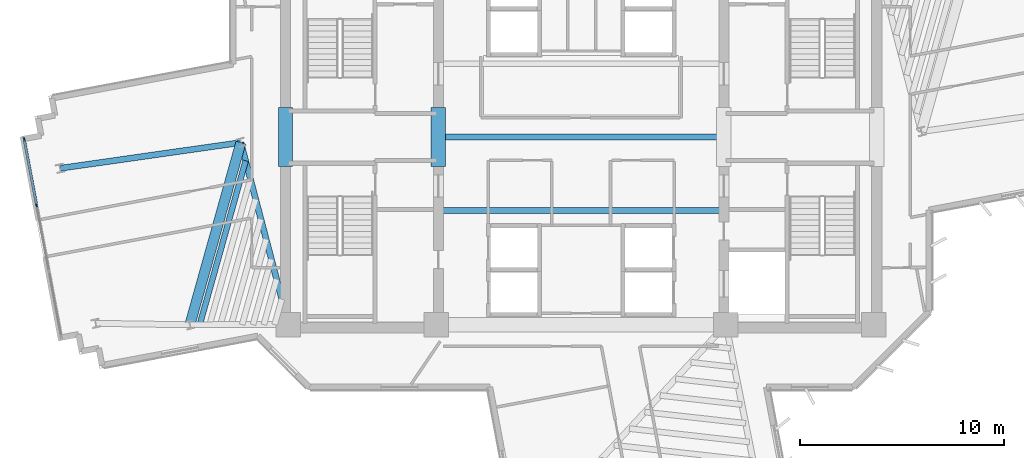
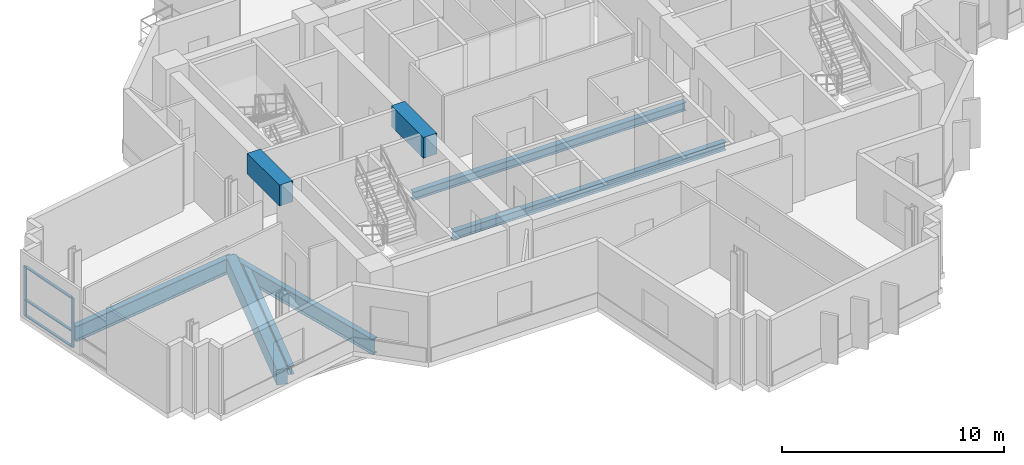
# One storey, part 4 of 16: 8 beams, 5 members, 1 element without a shape of its own.
"""IFC4 building model written with IfcOpenShell, lengths in metres."""

from ifc_helpers import new_model, si_unit, direction, frame, origin, origin_2d, place, context, subcontext, project, spatial, rectangle, i_section, extrude, source, transform, mapped, material, layer, layer_set, material_profile, profile_set, type_object, element, aggregate, save


model = new_model("IFC4")

# Units and contexts
model_context = context("Model", 3, precision=1e-05, world=origin(), true_north=direction((0.0, 1.0)))
body_context = subcontext(model_context, "Body", "Model", "MODEL_VIEW")
ifc_project = project(units=[si_unit("LENGTHUNIT", "METRE"), si_unit("AREAUNIT", "SQUARE_METRE"), si_unit("VOLUMEUNIT", "CUBIC_METRE"), si_unit("PLANEANGLEUNIT", "RADIAN"), si_unit("MASSUNIT", "GRAM", prefix="KILO")], contexts=[model_context])

# Site, building, storey
site_placement = place(None, origin())
site = spatial("IfcSite", under=ifc_project, at=site_placement, CompositionType="ELEMENT")
building_placement = place(site_placement, origin())
building = spatial("IfcBuilding", under=site, at=building_placement, Name="Zahravan Cultural Tower", CompositionType="ELEMENT")
storey_placement = place(building_placement, frame((0.0, 0.0, 155.10009765625)))
storey = spatial("IfcBuildingStorey", under=building, at=storey_placement, Name="L35", CompositionType="ELEMENT", Elevation=155.10009765625)

# Beams
ifc_material_1 = material(Name="Concrete C50/60", Category="concrete")
ifc_material_profile_1 = material_profile(ifc_material_1, rectangle(XDim=0.699951171875, YDim=1.14990234375, at=origin_2d()), Name="RC700X1150")
ifc_profile_set_1 = profile_set([ifc_material_profile_1], Name="Concrete C50/60")
beam_type_1 = type_object("IfcBeamType", Name="BM-LN-RC700X1150", PredefinedType="LINTEL", material=ifc_profile_set_1)
shared_shape_1 = source(origin(), body_context, "Body", "SweptSolid", [
    extrude(rectangle(XDim=0.699951171875, YDim=1.14990234375, at=origin_2d()), origin(), (0.0, 0.0, 1.0), 2.89990234375),
])
for number, where, z_axis, x_axis, name in (
    (1, (21.5, 25.550048828125, 3.044921875), (0.0, 1.0, 0.0), (-1.0, 0.0, 0.0), "L35 Beam LN-L35-PWW"),
    (2, (29.0, 25.550048828125, 3.044921875), (0.0, 1.0, 0.0), (-1.0, 0.0, 0.0), "L35 Beam LN-L35-PWE"),
):
    element("IfcBeam", number, at=place(storey_placement, frame(where, z_axis=z_axis, x_axis=x_axis)), inside=storey, type_object=beam_type_1, Name=name, PredefinedType="LINTEL", context=body_context, shape_type="MappedRepresentation", body=[
        mapped(shared_shape_1, transform((0.0, 0.0, 0.0), x_axis=(1.0, 0.0, 0.0), y_axis=(0.0, 1.0, 0.0), z_axis=(0.0, 0.0, 1.0), scale=1.0)),
    ])
ifc_material_profile_2 = material_profile(ifc_material_1, rectangle(XDim=0.5, YDim=0.85009765625, at=origin_2d()), Name="RC500X850")
ifc_profile_set_2 = profile_set([ifc_material_profile_2], Name="Concrete C50/60")
beam_type_2 = type_object("IfcBeamType", Name="BM-SP-RC500X850", PredefinedType="SPANDREL", material=ifc_profile_set_2)
shared_shape_2 = source(origin(), body_context, "Body", "SweptSolid", [
    extrude(rectangle(XDim=0.5, YDim=0.85009765625, at=origin_2d()), origin(), (0.0, 0.0, 1.0), 9.2783203125),
])
beam_1_placement = place(storey_placement, frame((19.315673828125, 26.72900390625, -0.705078125), z_axis=(-0.269497187032, -0.963001176625, 0.0), x_axis=(0.963001176625, -0.269497187032, 0.0)))
element("IfcBeam", 3, at=beam_1_placement, inside=storey, type_object=beam_type_2, Name="L35 Beam SP-L35-19", PredefinedType="SPANDREL", context=body_context, shape_type="MappedRepresentation", body=[
    mapped(shared_shape_2, transform((0.0, 0.0, 0.0), x_axis=(1.0, 0.0, 0.0), y_axis=(0.0, 1.0, 0.0), z_axis=(0.0, 0.0, 1.0), scale=1.0)),
])
ifc_material_2 = material(Name="Steel ASTM A992 Grade 50", Category="steel")
ifc_material_profile_3 = material_profile(ifc_material_2, i_section(OverallWidth=0.29296875, OverallDepth=0.845947265625, WebThickness=0.015380859375, FlangeThickness=0.0244140625, FilletRadius=0.02001953125, at=origin_2d()), Name="W33X141")
ifc_profile_set_3 = profile_set([ifc_material_profile_3], Name="Steel ASTM A992 Grade 50")
beam_type_3 = type_object("IfcBeamType", Name="BM-G-W33X141", PredefinedType="BEAM", material=ifc_profile_set_3)
shared_shape_3 = source(origin(), body_context, "Body", "SweptSolid", [
    extrude(i_section(OverallWidth=0.29296875, OverallDepth=0.845947265625, WebThickness=0.015380859375, FlangeThickness=0.0244140625, FilletRadius=0.02001953125, at=origin_2d()), origin(), (0.0, 0.0, 1.0), 9.22900390625),
])
beam_2_placement = place(storey_placement, frame((21.64990234375, 17.800048828125, -0.703125), z_axis=(-0.252922608408, 0.967486513682, 0.0), x_axis=(-0.967486513682, -0.252922608408, 0.0)))
element("IfcBeam", 4, at=beam_2_placement, inside=storey, type_object=beam_type_3, Name="L35 Beam BG-L35-07", PredefinedType="BEAM", context=body_context, shape_type="MappedRepresentation", body=[
    mapped(shared_shape_3, transform((0.0, 0.0, 0.0), x_axis=(1.0, 0.0, 0.0), y_axis=(0.0, 1.0, 0.0), z_axis=(0.0, 0.0, 1.0), scale=1.0)),
])
shared_shape_4 = source(origin(), body_context, "Body", "SweptSolid", [
    extrude(i_section(OverallWidth=0.29296875, OverallDepth=0.845947265625, WebThickness=0.015380859375, FlangeThickness=0.0244140625, FilletRadius=0.02001953125, at=origin_2d()), origin(), (0.0, 0.0, 1.0), 8.9580078125),
])
beam_3_placement = place(storey_placement, frame((19.315673828125, 26.72900390625, -0.703125), z_axis=(-0.990000122431, -0.141066500584, 0.0), x_axis=(0.141066500584, -0.990000122431, 0.0)))
element("IfcBeam", 5, at=beam_3_placement, inside=storey, type_object=beam_type_3, Name="L35 Beam BG-L35-17", PredefinedType="BEAM", context=body_context, shape_type="MappedRepresentation", body=[
    mapped(shared_shape_4, transform((0.0, 0.0, 0.0), x_axis=(1.0, 0.0, 0.0), y_axis=(0.0, 1.0, 0.0), z_axis=(0.0, 0.0, 1.0), scale=1.0)),
])
ifc_material_profile_4 = material_profile(ifc_material_2, i_section(OverallWidth=0.280029296875, OverallDepth=0.462890625, WebThickness=0.0107421875, FlangeThickness=0.017333984375, FilletRadius=0.012939453125, at=origin_2d()), Name="W18X76")
ifc_profile_set_4 = profile_set([ifc_material_profile_4], Name="Steel ASTM A992 Grade 50")
beam_type_4 = type_object("IfcBeamType", Name="BM-J-W18X76", PredefinedType="JOIST", material=ifc_profile_set_4)
shared_shape_5 = source(origin(), body_context, "Body", "SweptSolid", [
    extrude(i_section(OverallWidth=0.280029296875, OverallDepth=0.462890625, WebThickness=0.0107421875, FlangeThickness=0.017333984375, FilletRadius=0.012939453125, at=origin_2d()), origin(), (0.0, 0.0, 1.0), 14.2001953125),
])
for number, where, z_axis, x_axis, name in (
    (6, (28.89990234375, 23.39990234375, -0.51171875), (1.0, 0.0, 0.0), (0.0, 1.0, 0.0), "L35 Beam BJ-L35-23"),
    (7, (28.89990234375, 27.0, -0.51171875), (1.0, 0.0, 0.0), (0.0, 1.0, 0.0), "L35 Beam BJ-L35-24"),
):
    element("IfcBeam", number, at=place(storey_placement, frame(where, z_axis=z_axis, x_axis=x_axis)), inside=storey, type_object=beam_type_4, Name=name, PredefinedType="JOIST", context=body_context, shape_type="MappedRepresentation", body=[
        mapped(shared_shape_5, transform((0.0, 0.0, 0.0), x_axis=(1.0, 0.0, 0.0), y_axis=(0.0, 1.0, 0.0), z_axis=(0.0, 0.0, 1.0), scale=1.0)),
    ])
shared_shape_6 = source(origin(), body_context, "Body", "SweptSolid", [
    extrude(i_section(OverallWidth=0.280029296875, OverallDepth=0.462890625, WebThickness=0.0107421875, FlangeThickness=0.017333984375, FilletRadius=0.012939453125, at=origin_2d()), origin(), (0.0, 0.0, 1.0), 8.350830078125),
])
beam_4_placement = place(storey_placement, frame((19.549072265625, 25.836181640625, -0.51171875), z_axis=(-0.269496539555, -0.963001357822, 0.0), x_axis=(0.963001357822, -0.269496539555, 0.0)))
element("IfcBeam", 8, at=beam_4_placement, inside=storey, type_object=beam_type_4, Name="L35 Beam BJ-L35-33", PredefinedType="JOIST", context=body_context, shape_type="MappedRepresentation", body=[
    mapped(shared_shape_6, transform((0.0, 0.0, 0.0), x_axis=(1.0, 0.0, 0.0), y_axis=(0.0, 1.0, 0.0), z_axis=(0.0, 0.0, 1.0), scale=1.0)),
])

# Curtain wall, members
ifc_material_3 = material(Name="Anodised bronze-aluminium mullion", Category="aluminium")
ifc_layer = layer(ifc_material_3, 0.1650390625)
ifc_layer_set = layer_set([ifc_layer], Name="Anodised bronze-aluminium mullion")
curtain_wall_type = type_object("IfcCurtainWallType", Name="CW-SYS-4", PredefinedType="USERDEFINED", material=ifc_layer_set)
curtain_wall_placement = place(storey_placement, origin())
curtain_wall = element("IfcCurtainWall", 9, at=curtain_wall_placement, inside=storey, type_object=curtain_wall_type, Name="L35 Recessed Curtain Wall CW-4.2", ObjectType="RECESSED GLAZING", PredefinedType="USERDEFINED")
ifc_material_profile_5 = material_profile(ifc_material_3, rectangle(XDim=0.06494140625, YDim=0.1650390625, at=origin_2d()), Name="AL-M65X165")
ifc_profile_set_5 = profile_set([ifc_material_profile_5], Name="Anodised bronze-aluminium mullion")
member_type_1 = type_object("IfcMemberType", Name="CWM-CW-4", PredefinedType="MULLION", material=ifc_profile_set_5)
shared_shape_7 = source(origin(), body_context, "Body", "SweptSolid", [
    extrude(rectangle(XDim=0.06494140625, YDim=0.1650390625, at=origin_2d()), origin(), (0.0, 0.0, 1.0), 2.739990234375),
])
member_1_placement = place(storey_placement, frame((9.296630859375, 23.66552734375, 0.0), z_axis=(0.0, 0.0, 1.0), x_axis=(-0.982806619389, -0.184637885835, 0.0)))
member_1 = element("IfcMember", 10, at=member_1_placement, type_object=member_type_1, Name="CW-4 mullion 3", PredefinedType="MULLION", context=body_context, shape_type="MappedRepresentation", body=[
    mapped(shared_shape_7, transform((0.0, 0.0, 0.0), x_axis=(1.0, 0.0, 0.0), y_axis=(0.0, 1.0, 0.0), z_axis=(0.0, 0.0, 1.0), scale=1.0)),
])
member_2_placement = place(storey_placement, frame((8.69189453125, 26.88330078125, 0.0), z_axis=(0.0, 0.0, 1.0), x_axis=(-0.982806619389, -0.184637885835, 0.0)))
member_2 = element("IfcMember", 11, at=member_2_placement, type_object=member_type_1, Name="CW-4 mullion 4", PredefinedType="MULLION", context=body_context, shape_type="MappedRepresentation", body=[
    mapped(shared_shape_7, transform((0.0, 0.0, 0.0), x_axis=(1.0, 0.0, 0.0), y_axis=(0.0, 1.0, 0.0), z_axis=(0.0, 0.0, 1.0), scale=1.0)),
])
ifc_material_profile_6 = material_profile(ifc_material_3, rectangle(XDim=0.1298828125, YDim=0.06494140625, at=origin_2d()), Name="AL-T65X130")
ifc_profile_set_6 = profile_set([ifc_material_profile_6], Name="Anodised bronze-aluminium mullion")
member_type_2 = type_object("IfcMemberType", Name="CWT-CW-4", PredefinedType="USERDEFINED", material=ifc_profile_set_6)
shared_shape_8 = source(origin(), body_context, "Body", "SweptSolid", [
    extrude(rectangle(XDim=0.1298828125, YDim=0.06494140625, at=origin_2d()), origin(), (0.0, 0.0, 1.0), 3.208984375),
])
member_3_placement = place(storey_placement, frame((9.29052734375, 23.697509765625, 0.032470703125), z_axis=(-0.184646817818, 0.982804941313, 0.0), x_axis=(-0.982804941313, -0.184646817818, 0.0)))
member_3 = element("IfcMember", 12, at=member_3_placement, type_object=member_type_2, Name="CW-4 transom 3.1", ObjectType="TRANSOM", PredefinedType="USERDEFINED", context=body_context, shape_type="MappedRepresentation", body=[
    mapped(shared_shape_8, transform((0.0, 0.0, 0.0), x_axis=(1.0, 0.0, 0.0), y_axis=(0.0, 1.0, 0.0), z_axis=(0.0, 0.0, 1.0), scale=1.0)),
])
member_4_placement = place(storey_placement, frame((9.29052734375, 23.697509765625, 0.89990234375), z_axis=(-0.184646817818, 0.982804941313, 0.0), x_axis=(-0.982804941313, -0.184646817818, 0.0)))
member_4 = element("IfcMember", 13, at=member_4_placement, type_object=member_type_2, Name="CW-4 transom 3.2", ObjectType="TRANSOM", PredefinedType="USERDEFINED", context=body_context, shape_type="MappedRepresentation", body=[
    mapped(shared_shape_8, transform((0.0, 0.0, 0.0), x_axis=(1.0, 0.0, 0.0), y_axis=(0.0, 1.0, 0.0), z_axis=(0.0, 0.0, 1.0), scale=1.0)),
])
member_5_placement = place(storey_placement, frame((9.29052734375, 23.697509765625, 2.70751953125), z_axis=(-0.184646817818, 0.982804941313, 0.0), x_axis=(-0.982804941313, -0.184646817818, 0.0)))
member_5 = element("IfcMember", 14, at=member_5_placement, type_object=member_type_2, Name="CW-4 transom 3.3", ObjectType="TRANSOM", PredefinedType="USERDEFINED", context=body_context, shape_type="MappedRepresentation", body=[
    mapped(shared_shape_8, transform((0.0, 0.0, 0.0), x_axis=(1.0, 0.0, 0.0), y_axis=(0.0, 1.0, 0.0), z_axis=(0.0, 0.0, 1.0), scale=1.0)),
])
aggregate(curtain_wall, [member_1, member_2, member_3, member_4, member_5])

save(model, "model.ifc")
